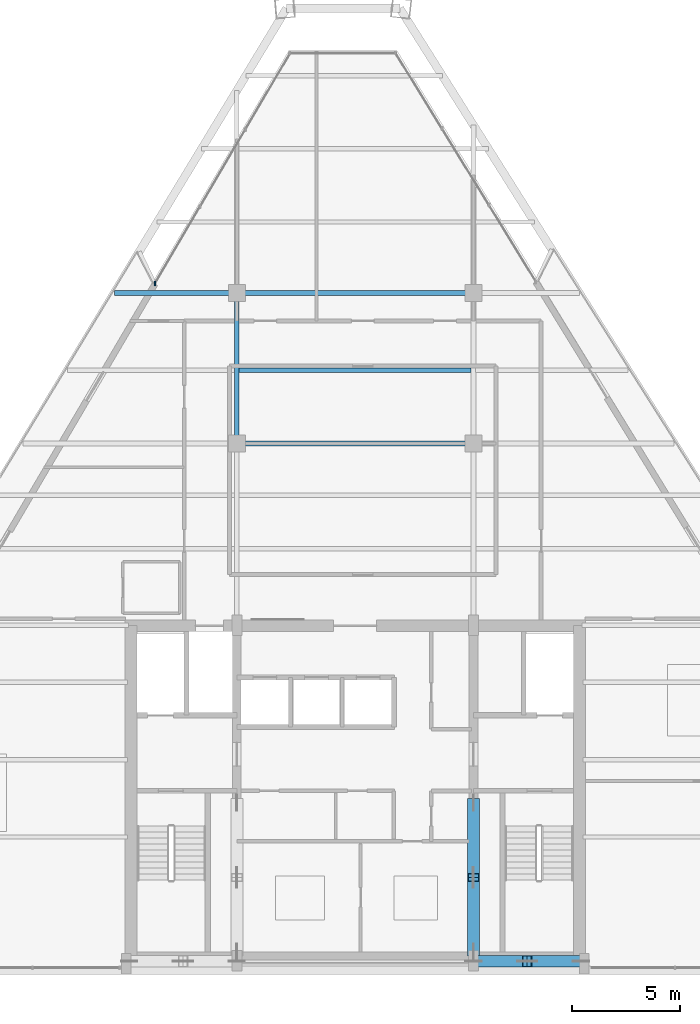
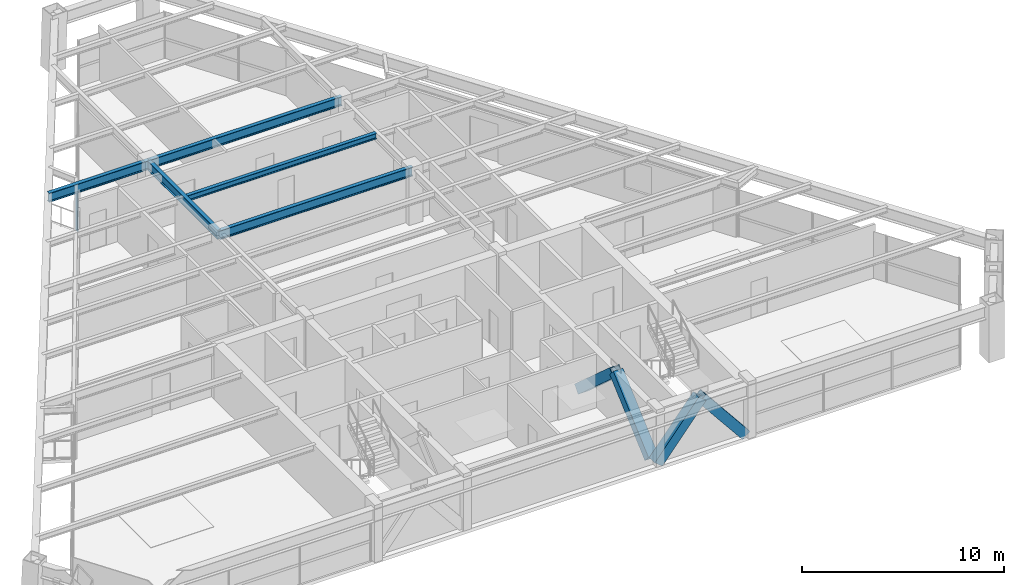
# One storey, part 4 of 13: 6 members, 5 beams, 1 element without a shape of its own.
"""IFC4 building model written with IfcOpenShell, lengths in metres."""

from ifc_helpers import new_model, si_unit, direction, frame, origin, origin_2d, place, context, subcontext, project, spatial, rectangle, hollow_rectangle, i_section, extrude, source, transform, mapped, material, material_profile, profile_set, type_object, type_shapes, element, aggregate, save


model = new_model("IFC4")

# Units and contexts
model_context = context("Model", 3, precision=1e-05, world=origin(), true_north=direction((0.0, 1.0)))
body_context = subcontext(model_context, "Body", "Model", "MODEL_VIEW")
ifc_project = project(units=[si_unit("LENGTHUNIT", "METRE"), si_unit("AREAUNIT", "SQUARE_METRE"), si_unit("VOLUMEUNIT", "CUBIC_METRE"), si_unit("PLANEANGLEUNIT", "RADIAN"), si_unit("MASSUNIT", "GRAM", prefix="KILO")], contexts=[model_context])

# Site, building, storey
site_placement = place(None, origin())
site = spatial("IfcSite", under=ifc_project, at=site_placement, CompositionType="ELEMENT")
building_placement = place(site_placement, origin())
building = spatial("IfcBuilding", under=site, at=building_placement, Name="Varnakhor Terracotta Tower", CompositionType="ELEMENT")
storey_placement = place(building_placement, frame((0.0, 0.0, 244.14990234375)))
storey = spatial("IfcBuildingStorey", under=building, at=storey_placement, Name="L63", CompositionType="ELEMENT", Elevation=244.14990234375)

# Beams
ifc_material_1 = material(Name="Steel S355", Category="steel")
ifc_material_profile_1 = material_profile(ifc_material_1, i_section(OverallWidth=0.214111328125, OverallDepth=0.549072265625, WebThickness=0.014892578125, FlangeThickness=0.02392578125, FilletRadius=0.01806640625, at=origin_2d()), Name="W21X93")
ifc_profile_set_1 = profile_set([ifc_material_profile_1], Name="Steel S355")
beam_type_1 = type_object("IfcBeamType", Name="BM-W21X93", PredefinedType="BEAM", material=ifc_profile_set_1)
shared_shape_1 = source(origin(), body_context, "Body", "SweptSolid", [
    extrude(i_section(OverallWidth=0.214111328125, OverallDepth=0.549072265625, WebThickness=0.014892578125, FlangeThickness=0.02392578125, FilletRadius=0.01806640625, at=origin_2d()), origin(), (0.0, 0.0, 1.0), 7.0),
])
beam_1_placement = place(storey_placement, frame((-5.5, 24.5, 2.965576171875), z_axis=(0.0, 1.0, 0.0), x_axis=(-1.0, 0.0, 0.0)))
element("IfcBeam", 1, at=beam_1_placement, inside=storey, type_object=beam_type_1, Name="L63 Primary Girder NS2-W", PredefinedType="BEAM", context=body_context, shape_type="MappedRepresentation", body=[
    mapped(shared_shape_1, transform((0.0, 0.0, 0.0), scale=1.0)),
])
shared_shape_2 = source(origin(), body_context, "Body", "SweptSolid", [
    extrude(i_section(OverallWidth=0.214111328125, OverallDepth=0.549072265625, WebThickness=0.014892578125, FlangeThickness=0.02392578125, FilletRadius=0.01806640625, at=origin_2d()), origin(), (0.0, 0.0, 1.0), 11.0),
])
for number, where, z_axis, x_axis, name in (
    (2, (-5.5, 24.5, 2.965576171875), (1.0, 0.0, 0.0), (0.0, 1.0, 0.0), "L63 Primary Girder EW2-2"),
    (3, (-5.5, 31.5, 2.965576171875), (1.0, 0.0, 0.0), (0.0, 1.0, 0.0), "L63 Primary Girder EW3-2"),
):
    element("IfcBeam", number, at=place(storey_placement, frame(where, z_axis=z_axis, x_axis=x_axis)), inside=storey, type_object=beam_type_1, Name=name, PredefinedType="BEAM", context=body_context, shape_type="MappedRepresentation", body=[
        mapped(shared_shape_2, transform((0.0, 0.0, 0.0), scale=1.0)),
    ])
ifc_material_profile_2 = material_profile(ifc_material_1, i_section(OverallWidth=0.202880859375, OverallDepth=0.346923828125, WebThickness=0.0078125, FlangeThickness=0.013427734375, FilletRadius=0.01806640625, at=origin_2d()), Name="W14X43")
ifc_profile_set_2 = profile_set([ifc_material_profile_2], Name="Steel S355")
beam_type_2 = type_object("IfcBeamType", Name="JST-W14X43", PredefinedType="JOIST", material=ifc_profile_set_2)
shared_shape_3 = source(origin(), body_context, "Body", "SweptSolid", [
    extrude(i_section(OverallWidth=0.202880859375, OverallDepth=0.346923828125, WebThickness=0.0078125, FlangeThickness=0.013427734375, FilletRadius=0.01806640625, at=origin_2d()), origin(), (0.0, 0.0, 1.0), 10.7939453125),
])
beam_2_placement = place(storey_placement, frame((-5.39697265625, 27.89990234375, 3.066650390625), z_axis=(1.0, 0.0, 0.0), x_axis=(0.0, 1.0, 0.0)))
element("IfcBeam", 4, at=beam_2_placement, inside=storey, type_object=beam_type_2, Name="L63 Composite Floor Joist 6-2", PredefinedType="JOIST", context=body_context, shape_type="MappedRepresentation", body=[
    mapped(shared_shape_3, transform((0.0, 0.0, 0.0), scale=1.0)),
])

# Members
ifc_material_profile_3 = material_profile(ifc_material_1, hollow_rectangle(XDim=0.550048828125, YDim=0.550048828125, WallThickness=0.034912109375, at=origin_2d()), Name="HSS550X550X35")
ifc_profile_set_3 = profile_set([ifc_material_profile_3], Name="Steel S355")
member_type_1 = type_object("IfcMemberType", Name="MBR-MEGA-550", PredefinedType="BRACE", material=ifc_profile_set_3)
shared_shape_4 = source(origin(), body_context, "Body", "SweptSolid", [
    extrude(hollow_rectangle(XDim=0.550048828125, YDim=0.550048828125, WallThickness=0.034912109375, at=origin_2d()), origin(), (0.0, 0.0, 1.0), 3.974853515625),
])
for number, where, z_axis, x_axis, name in (
    (5, (5.5, 0.419921875, 0.0), (0.628970263838, 0.0, 0.777429358339), (0.0, 1.0, 0.0), "L63 Core Coupled Brace CSEA"),
    (6, (10.5, 0.419921875, 0.0), (-0.628970263838, 0.0, 0.777429358339), (0.0, -1.0, 0.0), "L63 Core Coupled Brace CSEB"),
):
    element("IfcMember", number, at=place(storey_placement, frame(where, z_axis=z_axis, x_axis=x_axis)), inside=storey, type_object=member_type_1, Name=name, PredefinedType="BRACE", context=body_context, shape_type="MappedRepresentation", body=[
        mapped(shared_shape_4, transform((0.0, 0.0, 0.0), scale=1.0)),
    ])
shared_shape_5 = source(origin(), body_context, "Body", "SweptSolid", [
    extrude(hollow_rectangle(XDim=0.550048828125, YDim=0.550048828125, WallThickness=0.034912109375, at=origin_2d()), origin(), (0.0, 0.0, 1.0), 4.650146484375),
])
for number, where, z_axis, x_axis, name in (
    (7, (5.5, 0.85009765625, 0.0), (0.0, 0.74726736397, 0.664523503532), (-1.0, 0.0, 0.0), "L63 Core Coupled Brace CWEA"),
    (8, (5.5, 7.800048828125, 0.0), (0.0, -0.74729054724, 0.664497432655), (1.0, 0.0, 0.0), "L63 Core Coupled Brace CWEB"),
):
    element("IfcMember", number, at=place(storey_placement, frame(where, z_axis=z_axis, x_axis=x_axis)), inside=storey, type_object=member_type_1, Name=name, PredefinedType="BRACE", context=body_context, shape_type="MappedRepresentation", body=[
        mapped(shared_shape_5, transform((0.0, 0.0, 0.0), scale=1.0)),
    ])

# Beam
shared_shape_6 = source(origin(), body_context, "Body", "SweptSolid", [
    extrude(i_section(OverallWidth=0.214111328125, OverallDepth=0.549072265625, WebThickness=0.014892578125, FlangeThickness=0.02392578125, FilletRadius=0.01806640625, at=origin_2d()), origin(), (0.0, 0.0, 1.0), 5.70458984375),
])
beam_3_placement = place(storey_placement, frame((-11.20458984375, 31.5, 2.965576171875), z_axis=(1.0, 0.0, 0.0), x_axis=(0.0, 1.0, 0.0)))
element("IfcBeam", 9, at=beam_3_placement, inside=storey, type_object=beam_type_1, Name="L63 Primary Girder EW3-1", PredefinedType="BEAM", context=body_context, shape_type="MappedRepresentation", body=[
    mapped(shared_shape_6, transform((0.0, 0.0, 0.0), scale=1.0)),
])

# Curtain wall, members
ifc_material_2 = material(Name="Anodised Aluminium Curtain Wall System", Category="aluminium")
curtain_wall_type = type_object("IfcCurtainWallType", Name="CW-SYS-HOTEL-LOGGIA", PredefinedType="NOTDEFINED", material=ifc_material_2)
curtain_wall_placement = place(storey_placement, origin())
curtain_wall = element("IfcCurtainWall", 10, at=curtain_wall_placement, inside=storey, type_object=curtain_wall_type, Name="L63 W Facet Curtain Wall 2", PredefinedType="NOTDEFINED")
ifc_material_3 = material(Name="Anodised Aluminium 6063-T6", Category="aluminium")
ifc_material_profile_4 = material_profile(ifc_material_3, rectangle(XDim=0.06494140625, YDim=0.159912109375, at=origin_2d()), Name="ALU MULLION 65x160")
ifc_profile_set_4 = profile_set([ifc_material_profile_4], Name="Anodised Aluminium 6063-T6")
member_type_2 = type_object("IfcMemberType", Name="CWM-04", PredefinedType="MULLION", material=ifc_profile_set_4)
shared_shape_7 = source(origin(), body_context, "Body", "SweptSolid", [
    extrude(rectangle(XDim=0.06494140625, YDim=0.159912109375, at=origin_2d()), origin(), (0.0, 0.0, 1.0), 2.820068359375),
])
type_shapes(member_type_2, [shared_shape_7])
member_1_placement = place(storey_placement, frame((-9.31005859375, 31.954345703125, 0.0), z_axis=(0.0, 0.0, 1.0), x_axis=(1.0, 0.0, 0.0)))
member_1 = element("IfcMember", 11, at=member_1_placement, type_object=member_type_2, Name="L63 W Facet Curtain Wall 2 Mullion 1", PredefinedType="MULLION", context=body_context, shape_type="MappedRepresentation", body=[
    mapped(shared_shape_7, transform((0.0, 0.0, 0.0), scale=1.0)),
])
member_2_placement = place(storey_placement, frame((-9.30810546875, 31.91845703125, 0.0), z_axis=(0.0, 0.0, 1.0), x_axis=(1.0, 0.0, 0.0)))
member_2 = element("IfcMember", 12, at=member_2_placement, type_object=member_type_2, Name="L63 W Loggia Jamb Closure Mullion 2", PredefinedType="MULLION", context=body_context, shape_type="MappedRepresentation", body=[
    mapped(shared_shape_7, transform((0.0, 0.0, 0.0), scale=1.0)),
])
aggregate(curtain_wall, [member_1, member_2])

save(model, "model.ifc")
